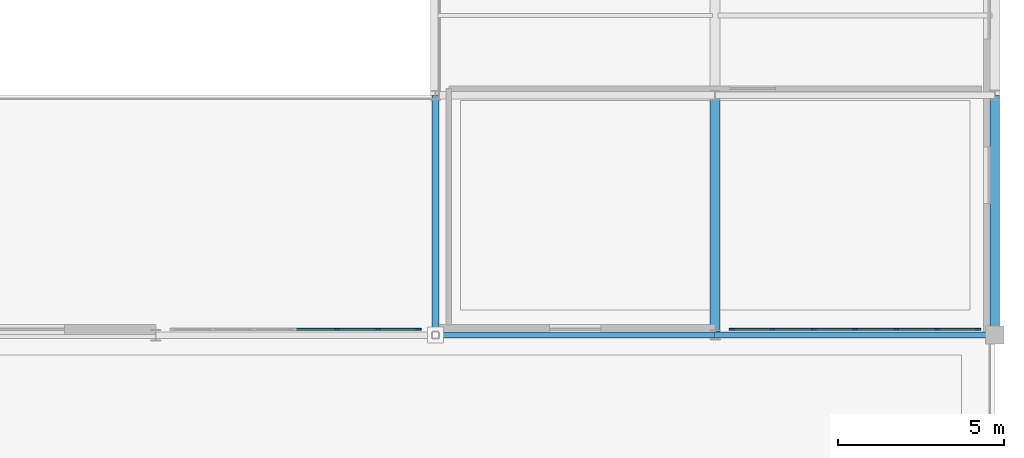
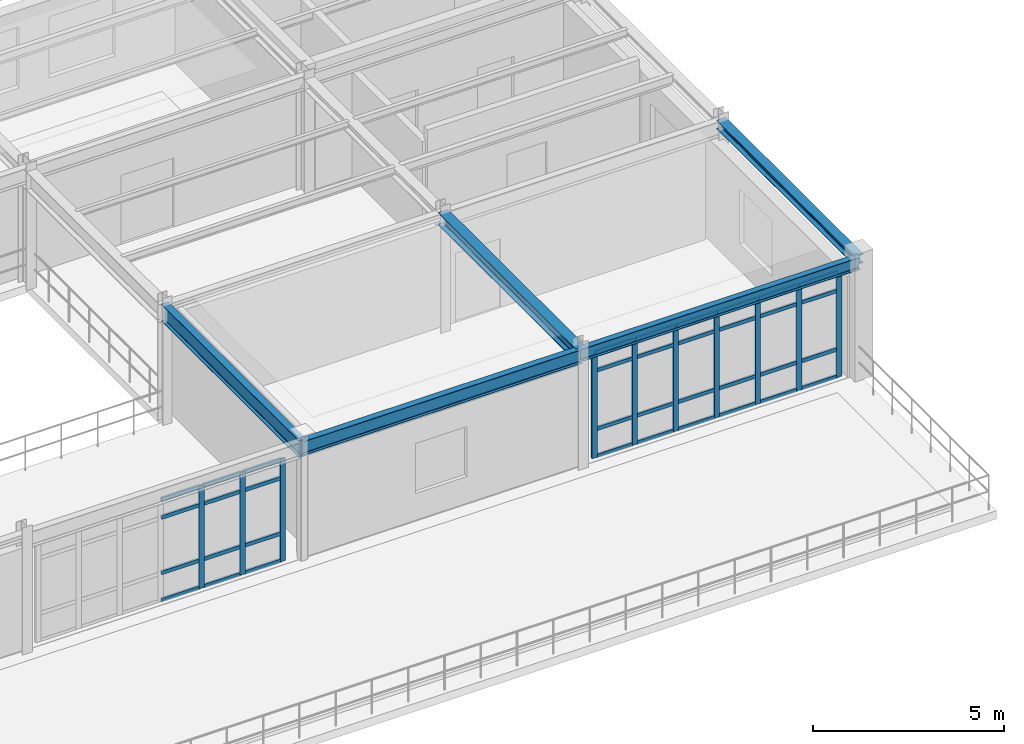
# One storey, part 29 of 58: 46 members, 5 beams, 2 elements without a shape of their own.
"""IFC4 building model written with IfcOpenShell, lengths in metres."""

from ifc_helpers import new_model, si_unit, derived_unit, direction, frame, origin, origin_2d, place, context, subcontext, project, spatial, rectangle, i_section, extrude, material, layer, layer_set, material_profile, profile_set, type_object, element, aggregate, save


model = new_model("IFC4")

# Units and contexts
model_context = context("Model", 3, precision=1e-05, world=origin(), true_north=direction((0.0, 1.0)))
body_context = subcontext(model_context, "Body", "Model", "MODEL_VIEW")
ifc_project = project(units=[si_unit("LENGTHUNIT", "METRE"), si_unit("AREAUNIT", "SQUARE_METRE"), si_unit("VOLUMEUNIT", "CUBIC_METRE"), si_unit("PLANEANGLEUNIT", "RADIAN"), si_unit("MASSUNIT", "GRAM", prefix="KILO"), derived_unit("THERMALTRANSMITTANCEUNIT", [(si_unit("POWERUNIT", "WATT"), 1), (si_unit("AREAUNIT", "SQUARE_METRE"), -1), (si_unit("THERMODYNAMICTEMPERATUREUNIT", "KELVIN"), -1)])], contexts=[model_context])

# Site, building, storey
site_placement = place(None, origin())
site = spatial("IfcSite", under=ifc_project, at=site_placement, CompositionType="ELEMENT")
building_placement = place(site_placement, origin())
building = spatial("IfcBuilding", under=site, at=building_placement, Name="Yasenodar Specialist Clinic", CompositionType="ELEMENT")
storey_placement = place(building_placement, frame((0.0, 0.0, 17.25)))
storey = spatial("IfcBuildingStorey", under=building, at=storey_placement, Name="L04", CompositionType="ELEMENT", Elevation=17.25)

# Beams
ifc_material_1 = material(Name="Steel S355", Category="steel")
ifc_material_profile_1 = material_profile(ifc_material_1, i_section(OverallWidth=0.280029296875, OverallDepth=0.280029296875, WebThickness=0.010498046875, FlangeThickness=0.01806640625, FilletRadius=0.02392578125, at=origin_2d()), Name="HEB 280")
ifc_profile_set_1 = profile_set([ifc_material_profile_1], Name="Steel S355")
beam_type_1 = type_object("IfcBeamType", Name="BM-HEB280", PredefinedType="BEAM", material=ifc_profile_set_1)
beam_1_placement = place(storey_placement, frame((121.800048828125, 90.0, 3.64990234375), z_axis=(0.0, 1.0, 0.0), x_axis=(-1.0, 0.0, 0.0)))
element("IfcBeam", 1, at=beam_1_placement, inside=storey, type_object=beam_type_1, Name="L04 Primary N-S Girder", PredefinedType="BEAM", context=body_context, shape_type="SweptSolid", body=[
    extrude(i_section(OverallWidth=0.280029296875, OverallDepth=0.280029296875, WebThickness=0.010498046875, FlangeThickness=0.01806640625, FilletRadius=0.02392578125, at=origin_2d()), origin(), (0.0, 0.0, 1.0), 7.199951171875),
])
ifc_material_profile_2 = material_profile(ifc_material_1, i_section(OverallWidth=0.300048828125, OverallDepth=0.39990234375, WebThickness=0.013427734375, FlangeThickness=0.02392578125, FilletRadius=0.027099609375, at=origin_2d()), Name="HEB 400")
ifc_profile_set_2 = profile_set([ifc_material_profile_2], Name="Steel S355")
beam_type_2 = type_object("IfcBeamType", Name="BM-HEB400", PredefinedType="BEAM", material=ifc_profile_set_2)
beam_2_placement = place(storey_placement, frame((113.39990234375, 90.0, 3.590087890625), z_axis=(0.0, 1.0, 0.0), x_axis=(-1.0, 0.0, 0.0)))
element("IfcBeam", 2, at=beam_2_placement, inside=storey, type_object=beam_type_2, Name="L04 Primary N-S Girder", PredefinedType="BEAM", context=body_context, shape_type="SweptSolid", body=[
    extrude(i_section(OverallWidth=0.300048828125, OverallDepth=0.39990234375, WebThickness=0.013427734375, FlangeThickness=0.02392578125, FilletRadius=0.027099609375, at=origin_2d()), origin(), (0.0, 0.0, 1.0), 7.199951171875),
])
ifc_material_profile_3 = material_profile(ifc_material_1, i_section(OverallWidth=0.179931640625, OverallDepth=0.39990234375, WebThickness=0.008544921875, FlangeThickness=0.013427734375, FilletRadius=0.02099609375, at=origin_2d()), Name="IPE 400")
ifc_profile_set_3 = profile_set([ifc_material_profile_3], Name="Steel S355")
beam_type_3 = type_object("IfcBeamType", Name="BM-IPE400", PredefinedType="BEAM", material=ifc_profile_set_3)
beam_3_placement = place(storey_placement, frame((113.39990234375, 90.0, 3.590087890625), z_axis=(1.0, 0.0, 0.0), x_axis=(0.0, 1.0, 0.0)))
element("IfcBeam", 3, at=beam_3_placement, inside=storey, type_object=beam_type_3, Name="L04 Primary E-W Girder", PredefinedType="BEAM", context=body_context, shape_type="SweptSolid", body=[
    extrude(i_section(OverallWidth=0.179931640625, OverallDepth=0.39990234375, WebThickness=0.008544921875, FlangeThickness=0.013427734375, FilletRadius=0.02099609375, at=origin_2d()), origin(), (0.0, 0.0, 1.0), 8.400146484375),
])
ifc_material_profile_4 = material_profile(ifc_material_1, i_section(OverallWidth=0.18994140625, OverallDepth=0.449951171875, WebThickness=0.009521484375, FlangeThickness=0.0146484375, FilletRadius=0.02099609375, at=origin_2d()), Name="IPE 450")
ifc_profile_set_4 = profile_set([ifc_material_profile_4], Name="Steel S355")
beam_type_4 = type_object("IfcBeamType", Name="BM-IPE450", PredefinedType="BEAM", material=ifc_profile_set_4)
beam_4_placement = place(storey_placement, frame((105.0, 90.0, 3.56494140625), z_axis=(1.0, 0.0, 0.0), x_axis=(0.0, 1.0, 0.0)))
element("IfcBeam", 4, at=beam_4_placement, inside=storey, type_object=beam_type_4, Name="L04 Primary E-W Girder", PredefinedType="BEAM", context=body_context, shape_type="SweptSolid", body=[
    extrude(i_section(OverallWidth=0.18994140625, OverallDepth=0.449951171875, WebThickness=0.009521484375, FlangeThickness=0.0146484375, FilletRadius=0.02099609375, at=origin_2d()), origin(), (0.0, 0.0, 1.0), 8.39990234375),
])
ifc_material_profile_5 = material_profile(ifc_material_1, i_section(OverallWidth=0.2099609375, OverallDepth=0.550048828125, WebThickness=0.010986328125, FlangeThickness=0.01708984375, FilletRadius=0.02392578125, at=origin_2d()), Name="IPE 550")
ifc_profile_set_5 = profile_set([ifc_material_profile_5], Name="Steel S355")
beam_type_5 = type_object("IfcBeamType", Name="BM-IPE550", PredefinedType="BEAM", material=ifc_profile_set_5)
beam_5_placement = place(storey_placement, frame((105.0, 90.0, 3.514892578125), z_axis=(0.0, 1.0, 0.0), x_axis=(-1.0, 0.0, 0.0)))
element("IfcBeam", 5, at=beam_5_placement, inside=storey, type_object=beam_type_5, Name="L04 Primary N-S Girder", PredefinedType="BEAM", context=body_context, shape_type="SweptSolid", body=[
    extrude(i_section(OverallWidth=0.2099609375, OverallDepth=0.550048828125, WebThickness=0.010986328125, FlangeThickness=0.01708984375, FilletRadius=0.02392578125, at=origin_2d()), origin(), (0.0, 0.0, 1.0), 7.199951171875),
])

# Curtain wall, members
ifc_material_2 = material(Name="Bronze Anodized Aluminium and Triple Low-E Glass", Category="aluminium")
ifc_layer = layer(ifc_material_2, 0.215087890625)
ifc_layer_set = layer_set([ifc_layer], Name="Bronze Anodized Aluminium and Triple Low-E Glass")
curtain_wall_type = type_object("IfcCurtainWallType", Name="CW-SYS-05", PredefinedType="USERDEFINED", material=ifc_layer_set)
curtain_wall_1_placement = place(storey_placement, origin())
curtain_wall_1 = element("IfcCurtainWall", 6, at=curtain_wall_1_placement, inside=storey, type_object=curtain_wall_type, Name="L04 Unitised Curtain Wall 162", ObjectType="UNITISED CURTAIN WALL", PredefinedType="USERDEFINED")
ifc_material_3 = material(Name="Bronze Anodized Aluminium", Category="aluminium")
ifc_material_profile_6 = material_profile(ifc_material_3, rectangle(XDim=0.06005859375, YDim=0.159912109375, at=origin_2d()), Name="CW-MULL 60x160")
ifc_profile_set_6 = profile_set([ifc_material_profile_6], Name="Bronze Anodized Aluminium")
member_type_1 = type_object("IfcMemberType", Name="CW-MULL-160", PredefinedType="MULLION", material=ifc_profile_set_6)
member_1_placement = place(storey_placement, frame((121.2900390625, 90.169921875, 0.0), z_axis=(0.0, 0.0, 1.0), x_axis=(0.0, -1.0, 0.0)))
member_1 = element("IfcMember", 7, at=member_1_placement, type_object=member_type_1, Name="CW-05 mullion 1", PredefinedType="MULLION", context=body_context, shape_type="SweptSolid", body=[
    extrude(rectangle(XDim=0.06005859375, YDim=0.159912109375, at=origin_2d()), origin(), (0.0, 0.0, 1.0), 3.367919921875),
])
member_2_placement = place(storey_placement, frame((120.080078125, 90.169921875, 0.0), z_axis=(0.0, 0.0, 1.0), x_axis=(0.0, -1.0, 0.0)))
member_2 = element("IfcMember", 8, at=member_2_placement, type_object=member_type_1, Name="CW-05 mullion 2", PredefinedType="MULLION", context=body_context, shape_type="SweptSolid", body=[
    extrude(rectangle(XDim=0.06005859375, YDim=0.159912109375, at=origin_2d()), origin(), (0.0, 0.0, 1.0), 3.367919921875),
])
member_3_placement = place(storey_placement, frame((118.840087890625, 90.169921875, 0.0), z_axis=(0.0, 0.0, 1.0), x_axis=(0.0, -1.0, 0.0)))
member_3 = element("IfcMember", 9, at=member_3_placement, type_object=member_type_1, Name="CW-05 mullion 3", PredefinedType="MULLION", context=body_context, shape_type="SweptSolid", body=[
    extrude(rectangle(XDim=0.06005859375, YDim=0.159912109375, at=origin_2d()), origin(), (0.0, 0.0, 1.0), 3.367919921875),
])
member_4_placement = place(storey_placement, frame((117.60009765625, 90.169921875, 0.0), z_axis=(0.0, 0.0, 1.0), x_axis=(0.0, -1.0, 0.0)))
member_4 = element("IfcMember", 10, at=member_4_placement, type_object=member_type_1, Name="CW-05 mullion 4", PredefinedType="MULLION", context=body_context, shape_type="SweptSolid", body=[
    extrude(rectangle(XDim=0.06005859375, YDim=0.159912109375, at=origin_2d()), origin(), (0.0, 0.0, 1.0), 3.367919921875),
])
member_5_placement = place(storey_placement, frame((116.360107421875, 90.169921875, 0.0), z_axis=(0.0, 0.0, 1.0), x_axis=(0.0, -1.0, 0.0)))
member_5 = element("IfcMember", 11, at=member_5_placement, type_object=member_type_1, Name="CW-05 mullion 5", PredefinedType="MULLION", context=body_context, shape_type="SweptSolid", body=[
    extrude(rectangle(XDim=0.06005859375, YDim=0.159912109375, at=origin_2d()), origin(), (0.0, 0.0, 1.0), 3.367919921875),
])
member_6_placement = place(storey_placement, frame((115.1201171875, 90.169921875, 0.0), z_axis=(0.0, 0.0, 1.0), x_axis=(0.0, -1.0, 0.0)))
member_6 = element("IfcMember", 12, at=member_6_placement, type_object=member_type_1, Name="CW-05 mullion 6", PredefinedType="MULLION", context=body_context, shape_type="SweptSolid", body=[
    extrude(rectangle(XDim=0.06005859375, YDim=0.159912109375, at=origin_2d()), origin(), (0.0, 0.0, 1.0), 3.367919921875),
])
member_7_placement = place(storey_placement, frame((113.909912109375, 90.169921875, 0.0), z_axis=(0.0, 0.0, 1.0), x_axis=(0.0, -1.0, 0.0)))
member_7 = element("IfcMember", 13, at=member_7_placement, type_object=member_type_1, Name="CW-05 mullion 7", PredefinedType="MULLION", context=body_context, shape_type="SweptSolid", body=[
    extrude(rectangle(XDim=0.06005859375, YDim=0.159912109375, at=origin_2d()), origin(), (0.0, 0.0, 1.0), 3.367919921875),
])

curtain_wall_2_placement = place(storey_placement, origin())
curtain_wall_2 = element("IfcCurtainWall", 14, at=curtain_wall_2_placement, inside=storey, type_object=curtain_wall_type, Name="L04 Unitised Curtain Wall 163", ObjectType="UNITISED CURTAIN WALL", PredefinedType="USERDEFINED")
member_8_placement = place(storey_placement, frame((104.489990234375, 90.169921875, 0.0), z_axis=(0.0, 0.0, 1.0), x_axis=(0.0, -1.0, 0.0)))
member_8 = element("IfcMember", 15, at=member_8_placement, type_object=member_type_1, Name="CW-05 mullion 1", PredefinedType="MULLION", context=body_context, shape_type="SweptSolid", body=[
    extrude(rectangle(XDim=0.06005859375, YDim=0.159912109375, at=origin_2d()), origin(), (0.0, 0.0, 1.0), 3.26806640625),
])
member_9_placement = place(storey_placement, frame((103.280029296875, 90.169921875, 0.0), z_axis=(0.0, 0.0, 1.0), x_axis=(0.0, -1.0, 0.0)))
member_9 = element("IfcMember", 16, at=member_9_placement, type_object=member_type_1, Name="CW-05 mullion 2", PredefinedType="MULLION", context=body_context, shape_type="SweptSolid", body=[
    extrude(rectangle(XDim=0.06005859375, YDim=0.159912109375, at=origin_2d()), origin(), (0.0, 0.0, 1.0), 3.26806640625),
])
member_10_placement = place(storey_placement, frame((102.0400390625, 90.169921875, 0.0), z_axis=(0.0, 0.0, 1.0), x_axis=(0.0, -1.0, 0.0)))
member_10 = element("IfcMember", 17, at=member_10_placement, type_object=member_type_1, Name="CW-05 mullion 3", PredefinedType="MULLION", context=body_context, shape_type="SweptSolid", body=[
    extrude(rectangle(XDim=0.06005859375, YDim=0.159912109375, at=origin_2d()), origin(), (0.0, 0.0, 1.0), 3.26806640625),
])

# Member
ifc_material_profile_7 = material_profile(ifc_material_3, rectangle(XDim=0.06005859375, YDim=0.1201171875, at=origin_2d()), Name="CW-TRAN 60x120")
ifc_profile_set_7 = profile_set([ifc_material_profile_7], Name="Bronze Anodized Aluminium")
member_type_2 = type_object("IfcMemberType", Name="CW-TRAN-120", PredefinedType="USERDEFINED", material=ifc_profile_set_7)
member_11_placement = place(storey_placement, frame((121.260009765625, 90.169921875, 0.030029296875), z_axis=(-1.0, 0.0, 0.0), x_axis=(0.0, -1.0, 0.0)))
member_11 = element("IfcMember", 18, at=member_11_placement, type_object=member_type_2, Name="CW-05 transom 1.1", ObjectType="TRANSOM", PredefinedType="USERDEFINED", context=body_context, shape_type="SweptSolid", body=[
    extrude(rectangle(XDim=0.06005859375, YDim=0.1201171875, at=origin_2d()), origin(), (0.0, 0.0, 1.0), 1.14990234375),
])

member_12_placement = place(storey_placement, frame((121.260009765625, 90.169921875, 0.89990234375), z_axis=(-1.0, 0.0, 0.0), x_axis=(0.0, -1.0, 0.0)))
member_12 = element("IfcMember", 19, at=member_12_placement, type_object=member_type_2, Name="CW-05 transom 1.2", ObjectType="TRANSOM", PredefinedType="USERDEFINED", context=body_context, shape_type="SweptSolid", body=[
    extrude(rectangle(XDim=0.06005859375, YDim=0.1201171875, at=origin_2d()), origin(), (0.0, 0.0, 1.0), 1.14990234375),
])

member_13_placement = place(storey_placement, frame((121.260009765625, 90.169921875, 2.76806640625), z_axis=(-1.0, 0.0, 0.0), x_axis=(0.0, -1.0, 0.0)))
member_13 = element("IfcMember", 20, at=member_13_placement, type_object=member_type_2, Name="CW-05 transom 1.3", ObjectType="TRANSOM", PredefinedType="USERDEFINED", context=body_context, shape_type="SweptSolid", body=[
    extrude(rectangle(XDim=0.06005859375, YDim=0.1201171875, at=origin_2d()), origin(), (0.0, 0.0, 1.0), 1.14990234375),
])

member_14_placement = place(storey_placement, frame((121.260009765625, 90.169921875, 3.337890625), z_axis=(-1.0, 0.0, 0.0), x_axis=(0.0, -1.0, 0.0)))
member_14 = element("IfcMember", 21, at=member_14_placement, type_object=member_type_2, Name="CW-05 transom 1.4", ObjectType="TRANSOM", PredefinedType="USERDEFINED", context=body_context, shape_type="SweptSolid", body=[
    extrude(rectangle(XDim=0.06005859375, YDim=0.1201171875, at=origin_2d()), origin(), (0.0, 0.0, 1.0), 1.14990234375),
])

member_15_placement = place(storey_placement, frame((120.050048828125, 90.169921875, 0.030029296875), z_axis=(-1.0, 0.0, 0.0), x_axis=(0.0, -1.0, 0.0)))
member_15 = element("IfcMember", 22, at=member_15_placement, type_object=member_type_2, Name="CW-05 transom 2.1", ObjectType="TRANSOM", PredefinedType="USERDEFINED", context=body_context, shape_type="SweptSolid", body=[
    extrude(rectangle(XDim=0.06005859375, YDim=0.1201171875, at=origin_2d()), origin(), (0.0, 0.0, 1.0), 1.179931640625),
])

member_16_placement = place(storey_placement, frame((120.050048828125, 90.169921875, 0.89990234375), z_axis=(-1.0, 0.0, 0.0), x_axis=(0.0, -1.0, 0.0)))
member_16 = element("IfcMember", 23, at=member_16_placement, type_object=member_type_2, Name="CW-05 transom 2.2", ObjectType="TRANSOM", PredefinedType="USERDEFINED", context=body_context, shape_type="SweptSolid", body=[
    extrude(rectangle(XDim=0.06005859375, YDim=0.1201171875, at=origin_2d()), origin(), (0.0, 0.0, 1.0), 1.179931640625),
])

member_17_placement = place(storey_placement, frame((120.050048828125, 90.169921875, 2.76806640625), z_axis=(-1.0, 0.0, 0.0), x_axis=(0.0, -1.0, 0.0)))
member_17 = element("IfcMember", 24, at=member_17_placement, type_object=member_type_2, Name="CW-05 transom 2.3", ObjectType="TRANSOM", PredefinedType="USERDEFINED", context=body_context, shape_type="SweptSolid", body=[
    extrude(rectangle(XDim=0.06005859375, YDim=0.1201171875, at=origin_2d()), origin(), (0.0, 0.0, 1.0), 1.179931640625),
])

member_18_placement = place(storey_placement, frame((120.050048828125, 90.169921875, 3.337890625), z_axis=(-1.0, 0.0, 0.0), x_axis=(0.0, -1.0, 0.0)))
member_18 = element("IfcMember", 25, at=member_18_placement, type_object=member_type_2, Name="CW-05 transom 2.4", ObjectType="TRANSOM", PredefinedType="USERDEFINED", context=body_context, shape_type="SweptSolid", body=[
    extrude(rectangle(XDim=0.06005859375, YDim=0.1201171875, at=origin_2d()), origin(), (0.0, 0.0, 1.0), 1.179931640625),
])

member_19_placement = place(storey_placement, frame((118.81005859375, 90.169921875, 0.030029296875), z_axis=(-1.0, 0.0, 0.0), x_axis=(0.0, -1.0, 0.0)))
member_19 = element("IfcMember", 26, at=member_19_placement, type_object=member_type_2, Name="CW-05 transom 3.1", ObjectType="TRANSOM", PredefinedType="USERDEFINED", context=body_context, shape_type="SweptSolid", body=[
    extrude(rectangle(XDim=0.06005859375, YDim=0.1201171875, at=origin_2d()), origin(), (0.0, 0.0, 1.0), 1.18017578125),
])

member_20_placement = place(storey_placement, frame((118.81005859375, 90.169921875, 0.89990234375), z_axis=(-1.0, 0.0, 0.0), x_axis=(0.0, -1.0, 0.0)))
member_20 = element("IfcMember", 27, at=member_20_placement, type_object=member_type_2, Name="CW-05 transom 3.2", ObjectType="TRANSOM", PredefinedType="USERDEFINED", context=body_context, shape_type="SweptSolid", body=[
    extrude(rectangle(XDim=0.06005859375, YDim=0.1201171875, at=origin_2d()), origin(), (0.0, 0.0, 1.0), 1.18017578125),
])

member_21_placement = place(storey_placement, frame((118.81005859375, 90.169921875, 2.76806640625), z_axis=(-1.0, 0.0, 0.0), x_axis=(0.0, -1.0, 0.0)))
member_21 = element("IfcMember", 28, at=member_21_placement, type_object=member_type_2, Name="CW-05 transom 3.3", ObjectType="TRANSOM", PredefinedType="USERDEFINED", context=body_context, shape_type="SweptSolid", body=[
    extrude(rectangle(XDim=0.06005859375, YDim=0.1201171875, at=origin_2d()), origin(), (0.0, 0.0, 1.0), 1.18017578125),
])

member_22_placement = place(storey_placement, frame((118.81005859375, 90.169921875, 3.337890625), z_axis=(-1.0, 0.0, 0.0), x_axis=(0.0, -1.0, 0.0)))
member_22 = element("IfcMember", 29, at=member_22_placement, type_object=member_type_2, Name="CW-05 transom 3.4", ObjectType="TRANSOM", PredefinedType="USERDEFINED", context=body_context, shape_type="SweptSolid", body=[
    extrude(rectangle(XDim=0.06005859375, YDim=0.1201171875, at=origin_2d()), origin(), (0.0, 0.0, 1.0), 1.18017578125),
])

member_23_placement = place(storey_placement, frame((117.570068359375, 90.169921875, 0.030029296875), z_axis=(-1.0, 0.0, 0.0), x_axis=(0.0, -1.0, 0.0)))
member_23 = element("IfcMember", 30, at=member_23_placement, type_object=member_type_2, Name="CW-05 transom 4.1", ObjectType="TRANSOM", PredefinedType="USERDEFINED", context=body_context, shape_type="SweptSolid", body=[
    extrude(rectangle(XDim=0.06005859375, YDim=0.1201171875, at=origin_2d()), origin(), (0.0, 0.0, 1.0), 1.18017578125),
])

member_24_placement = place(storey_placement, frame((117.570068359375, 90.169921875, 0.89990234375), z_axis=(-1.0, 0.0, 0.0), x_axis=(0.0, -1.0, 0.0)))
member_24 = element("IfcMember", 31, at=member_24_placement, type_object=member_type_2, Name="CW-05 transom 4.2", ObjectType="TRANSOM", PredefinedType="USERDEFINED", context=body_context, shape_type="SweptSolid", body=[
    extrude(rectangle(XDim=0.06005859375, YDim=0.1201171875, at=origin_2d()), origin(), (0.0, 0.0, 1.0), 1.18017578125),
])

member_25_placement = place(storey_placement, frame((117.570068359375, 90.169921875, 2.76806640625), z_axis=(-1.0, 0.0, 0.0), x_axis=(0.0, -1.0, 0.0)))
member_25 = element("IfcMember", 32, at=member_25_placement, type_object=member_type_2, Name="CW-05 transom 4.3", ObjectType="TRANSOM", PredefinedType="USERDEFINED", context=body_context, shape_type="SweptSolid", body=[
    extrude(rectangle(XDim=0.06005859375, YDim=0.1201171875, at=origin_2d()), origin(), (0.0, 0.0, 1.0), 1.18017578125),
])

member_26_placement = place(storey_placement, frame((117.570068359375, 90.169921875, 3.337890625), z_axis=(-1.0, 0.0, 0.0), x_axis=(0.0, -1.0, 0.0)))
member_26 = element("IfcMember", 33, at=member_26_placement, type_object=member_type_2, Name="CW-05 transom 4.4", ObjectType="TRANSOM", PredefinedType="USERDEFINED", context=body_context, shape_type="SweptSolid", body=[
    extrude(rectangle(XDim=0.06005859375, YDim=0.1201171875, at=origin_2d()), origin(), (0.0, 0.0, 1.0), 1.18017578125),
])

member_27_placement = place(storey_placement, frame((116.330078125, 90.169921875, 0.030029296875), z_axis=(-1.0, 0.0, 0.0), x_axis=(0.0, -1.0, 0.0)))
member_27 = element("IfcMember", 34, at=member_27_placement, type_object=member_type_2, Name="CW-05 transom 5.1", ObjectType="TRANSOM", PredefinedType="USERDEFINED", context=body_context, shape_type="SweptSolid", body=[
    extrude(rectangle(XDim=0.06005859375, YDim=0.1201171875, at=origin_2d()), origin(), (0.0, 0.0, 1.0), 1.18017578125),
])

member_28_placement = place(storey_placement, frame((116.330078125, 90.169921875, 0.89990234375), z_axis=(-1.0, 0.0, 0.0), x_axis=(0.0, -1.0, 0.0)))
member_28 = element("IfcMember", 35, at=member_28_placement, type_object=member_type_2, Name="CW-05 transom 5.2", ObjectType="TRANSOM", PredefinedType="USERDEFINED", context=body_context, shape_type="SweptSolid", body=[
    extrude(rectangle(XDim=0.06005859375, YDim=0.1201171875, at=origin_2d()), origin(), (0.0, 0.0, 1.0), 1.18017578125),
])

member_29_placement = place(storey_placement, frame((116.330078125, 90.169921875, 2.76806640625), z_axis=(-1.0, 0.0, 0.0), x_axis=(0.0, -1.0, 0.0)))
member_29 = element("IfcMember", 36, at=member_29_placement, type_object=member_type_2, Name="CW-05 transom 5.3", ObjectType="TRANSOM", PredefinedType="USERDEFINED", context=body_context, shape_type="SweptSolid", body=[
    extrude(rectangle(XDim=0.06005859375, YDim=0.1201171875, at=origin_2d()), origin(), (0.0, 0.0, 1.0), 1.18017578125),
])

member_30_placement = place(storey_placement, frame((116.330078125, 90.169921875, 3.337890625), z_axis=(-1.0, 0.0, 0.0), x_axis=(0.0, -1.0, 0.0)))
member_30 = element("IfcMember", 37, at=member_30_placement, type_object=member_type_2, Name="CW-05 transom 5.4", ObjectType="TRANSOM", PredefinedType="USERDEFINED", context=body_context, shape_type="SweptSolid", body=[
    extrude(rectangle(XDim=0.06005859375, YDim=0.1201171875, at=origin_2d()), origin(), (0.0, 0.0, 1.0), 1.18017578125),
])

member_31_placement = place(storey_placement, frame((115.090087890625, 90.169921875, 0.030029296875), z_axis=(-1.0, 0.0, 0.0), x_axis=(0.0, -1.0, 0.0)))
member_31 = element("IfcMember", 38, at=member_31_placement, type_object=member_type_2, Name="CW-05 transom 6.1", ObjectType="TRANSOM", PredefinedType="USERDEFINED", context=body_context, shape_type="SweptSolid", body=[
    extrude(rectangle(XDim=0.06005859375, YDim=0.1201171875, at=origin_2d()), origin(), (0.0, 0.0, 1.0), 1.150146484375),
])

member_32_placement = place(storey_placement, frame((115.090087890625, 90.169921875, 0.89990234375), z_axis=(-1.0, 0.0, 0.0), x_axis=(0.0, -1.0, 0.0)))
member_32 = element("IfcMember", 39, at=member_32_placement, type_object=member_type_2, Name="CW-05 transom 6.2", ObjectType="TRANSOM", PredefinedType="USERDEFINED", context=body_context, shape_type="SweptSolid", body=[
    extrude(rectangle(XDim=0.06005859375, YDim=0.1201171875, at=origin_2d()), origin(), (0.0, 0.0, 1.0), 1.150146484375),
])

member_33_placement = place(storey_placement, frame((115.090087890625, 90.169921875, 2.76806640625), z_axis=(-1.0, 0.0, 0.0), x_axis=(0.0, -1.0, 0.0)))
member_33 = element("IfcMember", 40, at=member_33_placement, type_object=member_type_2, Name="CW-05 transom 6.3", ObjectType="TRANSOM", PredefinedType="USERDEFINED", context=body_context, shape_type="SweptSolid", body=[
    extrude(rectangle(XDim=0.06005859375, YDim=0.1201171875, at=origin_2d()), origin(), (0.0, 0.0, 1.0), 1.150146484375),
])

member_34_placement = place(storey_placement, frame((115.090087890625, 90.169921875, 3.337890625), z_axis=(-1.0, 0.0, 0.0), x_axis=(0.0, -1.0, 0.0)))
member_34 = element("IfcMember", 41, at=member_34_placement, type_object=member_type_2, Name="CW-05 transom 6.4", ObjectType="TRANSOM", PredefinedType="USERDEFINED", context=body_context, shape_type="SweptSolid", body=[
    extrude(rectangle(XDim=0.06005859375, YDim=0.1201171875, at=origin_2d()), origin(), (0.0, 0.0, 1.0), 1.150146484375),
])

aggregate(curtain_wall_1, [member_1, member_2, member_3, member_4, member_5, member_6, member_7, member_11, member_12, member_13, member_14, member_15, member_16, member_17, member_18, member_19, member_20, member_21, member_22, member_23, member_24, member_25, member_26, member_27, member_28, member_29, member_30, member_31, member_32, member_33, member_34])

member_35_placement = place(storey_placement, frame((104.4599609375, 90.169921875, 0.030029296875), z_axis=(-1.0, 0.0, 0.0), x_axis=(0.0, -1.0, 0.0)))
member_35 = element("IfcMember", 42, at=member_35_placement, type_object=member_type_2, Name="CW-05 transom 1.1", ObjectType="TRANSOM", PredefinedType="USERDEFINED", context=body_context, shape_type="SweptSolid", body=[
    extrude(rectangle(XDim=0.06005859375, YDim=0.1201171875, at=origin_2d()), origin(), (0.0, 0.0, 1.0), 1.14990234375),
])

member_36_placement = place(storey_placement, frame((104.4599609375, 90.169921875, 0.89990234375), z_axis=(-1.0, 0.0, 0.0), x_axis=(0.0, -1.0, 0.0)))
member_36 = element("IfcMember", 43, at=member_36_placement, type_object=member_type_2, Name="CW-05 transom 1.2", ObjectType="TRANSOM", PredefinedType="USERDEFINED", context=body_context, shape_type="SweptSolid", body=[
    extrude(rectangle(XDim=0.06005859375, YDim=0.1201171875, at=origin_2d()), origin(), (0.0, 0.0, 1.0), 1.14990234375),
])

member_37_placement = place(storey_placement, frame((104.4599609375, 90.169921875, 2.66796875), z_axis=(-1.0, 0.0, 0.0), x_axis=(0.0, -1.0, 0.0)))
member_37 = element("IfcMember", 44, at=member_37_placement, type_object=member_type_2, Name="CW-05 transom 1.3", ObjectType="TRANSOM", PredefinedType="USERDEFINED", context=body_context, shape_type="SweptSolid", body=[
    extrude(rectangle(XDim=0.06005859375, YDim=0.1201171875, at=origin_2d()), origin(), (0.0, 0.0, 1.0), 1.14990234375),
])

member_38_placement = place(storey_placement, frame((104.4599609375, 90.169921875, 3.238037109375), z_axis=(-1.0, 0.0, 0.0), x_axis=(0.0, -1.0, 0.0)))
member_38 = element("IfcMember", 45, at=member_38_placement, type_object=member_type_2, Name="CW-05 transom 1.4", ObjectType="TRANSOM", PredefinedType="USERDEFINED", context=body_context, shape_type="SweptSolid", body=[
    extrude(rectangle(XDim=0.06005859375, YDim=0.1201171875, at=origin_2d()), origin(), (0.0, 0.0, 1.0), 1.14990234375),
])

member_39_placement = place(storey_placement, frame((103.25, 90.169921875, 0.030029296875), z_axis=(-1.0, 0.0, 0.0), x_axis=(0.0, -1.0, 0.0)))
member_39 = element("IfcMember", 46, at=member_39_placement, type_object=member_type_2, Name="CW-05 transom 2.1", ObjectType="TRANSOM", PredefinedType="USERDEFINED", context=body_context, shape_type="SweptSolid", body=[
    extrude(rectangle(XDim=0.06005859375, YDim=0.1201171875, at=origin_2d()), origin(), (0.0, 0.0, 1.0), 1.179931640625),
])

member_40_placement = place(storey_placement, frame((103.25, 90.169921875, 0.89990234375), z_axis=(-1.0, 0.0, 0.0), x_axis=(0.0, -1.0, 0.0)))
member_40 = element("IfcMember", 47, at=member_40_placement, type_object=member_type_2, Name="CW-05 transom 2.2", ObjectType="TRANSOM", PredefinedType="USERDEFINED", context=body_context, shape_type="SweptSolid", body=[
    extrude(rectangle(XDim=0.06005859375, YDim=0.1201171875, at=origin_2d()), origin(), (0.0, 0.0, 1.0), 1.179931640625),
])

member_41_placement = place(storey_placement, frame((103.25, 90.169921875, 2.66796875), z_axis=(-1.0, 0.0, 0.0), x_axis=(0.0, -1.0, 0.0)))
member_41 = element("IfcMember", 48, at=member_41_placement, type_object=member_type_2, Name="CW-05 transom 2.3", ObjectType="TRANSOM", PredefinedType="USERDEFINED", context=body_context, shape_type="SweptSolid", body=[
    extrude(rectangle(XDim=0.06005859375, YDim=0.1201171875, at=origin_2d()), origin(), (0.0, 0.0, 1.0), 1.179931640625),
])

member_42_placement = place(storey_placement, frame((103.25, 90.169921875, 3.238037109375), z_axis=(-1.0, 0.0, 0.0), x_axis=(0.0, -1.0, 0.0)))
member_42 = element("IfcMember", 49, at=member_42_placement, type_object=member_type_2, Name="CW-05 transom 2.4", ObjectType="TRANSOM", PredefinedType="USERDEFINED", context=body_context, shape_type="SweptSolid", body=[
    extrude(rectangle(XDim=0.06005859375, YDim=0.1201171875, at=origin_2d()), origin(), (0.0, 0.0, 1.0), 1.179931640625),
])

member_43_placement = place(storey_placement, frame((102.010009765625, 90.169921875, 0.030029296875), z_axis=(-1.0, 0.0, 0.0), x_axis=(0.0, -1.0, 0.0)))
member_43 = element("IfcMember", 50, at=member_43_placement, type_object=member_type_2, Name="CW-05 transom 3.1", ObjectType="TRANSOM", PredefinedType="USERDEFINED", context=body_context, shape_type="SweptSolid", body=[
    extrude(rectangle(XDim=0.06005859375, YDim=0.1201171875, at=origin_2d()), origin(), (0.0, 0.0, 1.0), 1.179931640625),
])

member_44_placement = place(storey_placement, frame((102.010009765625, 90.169921875, 0.89990234375), z_axis=(-1.0, 0.0, 0.0), x_axis=(0.0, -1.0, 0.0)))
member_44 = element("IfcMember", 51, at=member_44_placement, type_object=member_type_2, Name="CW-05 transom 3.2", ObjectType="TRANSOM", PredefinedType="USERDEFINED", context=body_context, shape_type="SweptSolid", body=[
    extrude(rectangle(XDim=0.06005859375, YDim=0.1201171875, at=origin_2d()), origin(), (0.0, 0.0, 1.0), 1.179931640625),
])

member_45_placement = place(storey_placement, frame((102.010009765625, 90.169921875, 2.66796875), z_axis=(-1.0, 0.0, 0.0), x_axis=(0.0, -1.0, 0.0)))
member_45 = element("IfcMember", 52, at=member_45_placement, type_object=member_type_2, Name="CW-05 transom 3.3", ObjectType="TRANSOM", PredefinedType="USERDEFINED", context=body_context, shape_type="SweptSolid", body=[
    extrude(rectangle(XDim=0.06005859375, YDim=0.1201171875, at=origin_2d()), origin(), (0.0, 0.0, 1.0), 1.179931640625),
])

member_46_placement = place(storey_placement, frame((102.010009765625, 90.169921875, 3.238037109375), z_axis=(-1.0, 0.0, 0.0), x_axis=(0.0, -1.0, 0.0)))
member_46 = element("IfcMember", 53, at=member_46_placement, type_object=member_type_2, Name="CW-05 transom 3.4", ObjectType="TRANSOM", PredefinedType="USERDEFINED", context=body_context, shape_type="SweptSolid", body=[
    extrude(rectangle(XDim=0.06005859375, YDim=0.1201171875, at=origin_2d()), origin(), (0.0, 0.0, 1.0), 1.179931640625),
])

aggregate(curtain_wall_2, [member_8, member_9, member_10, member_35, member_36, member_37, member_38, member_39, member_40, member_41, member_42, member_43, member_44, member_45, member_46])

save(model, "model.ifc")
